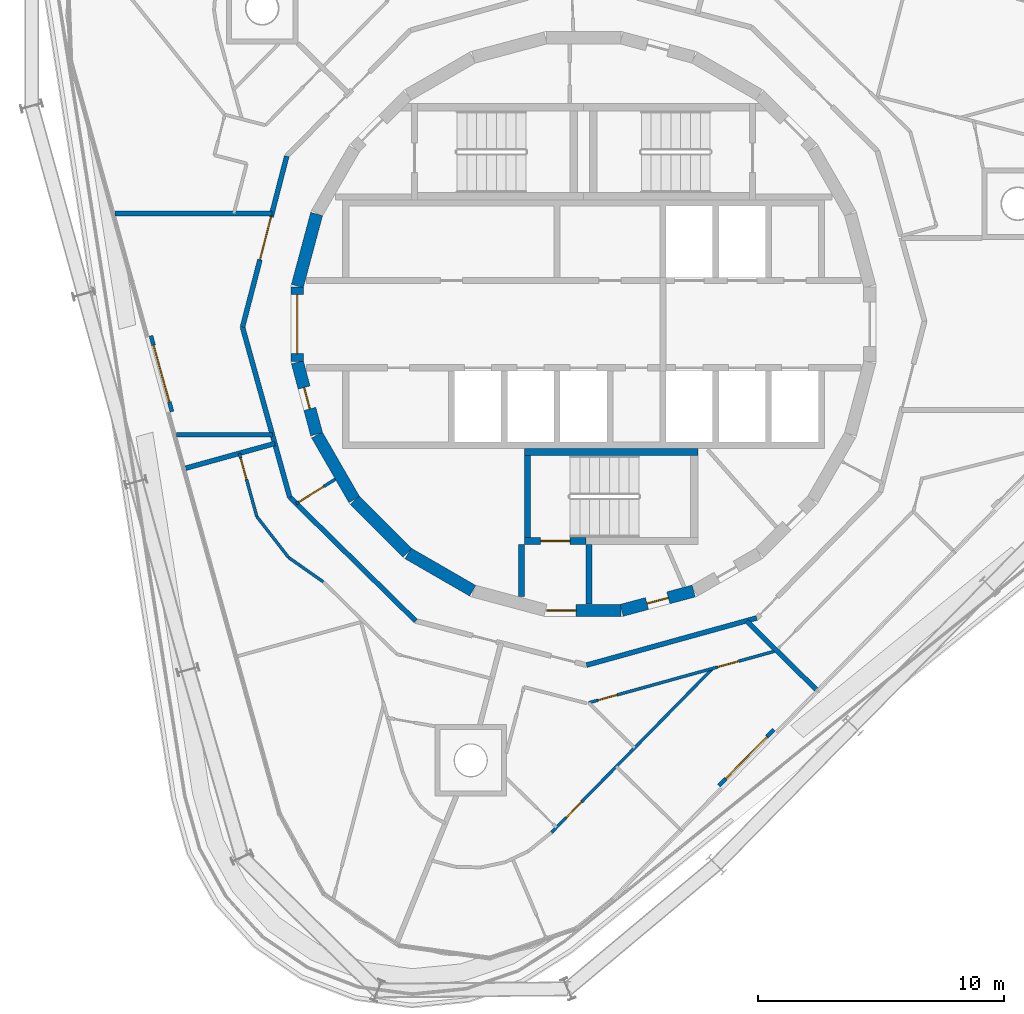
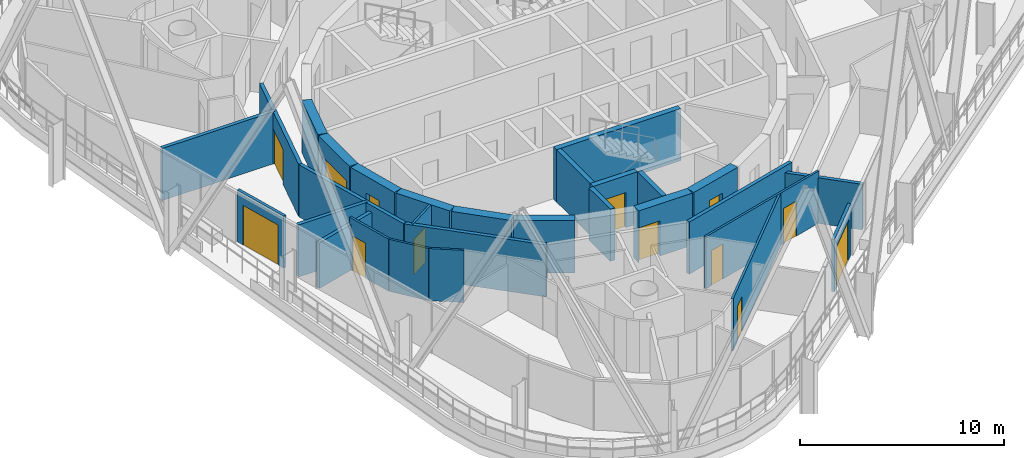
# One storey, part 10 of 18: 29 walls, 13 doors, 13 openings.
"""IFC4 building model written with IfcOpenShell, lengths in metres."""

from ifc_helpers import new_model, si_unit, direction, frame, frame_2d, origin, place, context, subcontext, project, spatial, rectangle, extrude, material, layer, layer_set, type_object, element, fill, save


model = new_model("IFC4")

# Units and contexts
model_context = context("Model", 3, precision=1e-05, world=origin(), true_north=direction((0.0, 1.0)))
body_context = subcontext(model_context, "Body", "Model", "MODEL_VIEW")
ifc_project = project(units=[si_unit("LENGTHUNIT", "METRE"), si_unit("AREAUNIT", "SQUARE_METRE"), si_unit("VOLUMEUNIT", "CUBIC_METRE"), si_unit("PLANEANGLEUNIT", "RADIAN"), si_unit("MASSUNIT", "GRAM", prefix="KILO")], contexts=[model_context])

# Site, building, storey
site_placement = place(None, origin())
site = spatial("IfcSite", under=ifc_project, at=site_placement, CompositionType="ELEMENT")
building_placement = place(site_placement, origin())
building = spatial("IfcBuilding", under=site, at=building_placement, Name="Spindle Arch Residences", CompositionType="ELEMENT")
storey_placement = place(building_placement, frame((0.0, 0.0, 298.199951171875)))
storey = spatial("IfcBuildingStorey", under=building, at=storey_placement, Name="L76", CompositionType="ELEMENT", Elevation=298.199951171875)

# Wall, opening, door
ifc_material_1 = material(Name="Concrete C50/60", Category="concrete")
ifc_layer_1 = layer(ifc_material_1, 0.5)
ifc_layer_set_1 = layer_set([ifc_layer_1], Name="Core outline wall 500")
wall_type_1 = type_object("IfcWallType", Name="Core outline wall 500", PredefinedType="SHEAR", material=ifc_layer_set_1)
wall_1_placement = place(storey_placement, frame((1.5498046875, -11.642822265625, 0.0), z_axis=(0.0, 0.0, 1.0), x_axis=(0.965948410781, 0.258734743916, 0.0)))
wall_1 = element("IfcWall", 1, at=wall_1_placement, inside=storey, type_object=wall_type_1, Name="Core outline wall 1", PredefinedType="SHEAR", context=body_context, shape_type="SweptSolid", body=[
    extrude(rectangle(XDim=3.03271484375, YDim=0.5, at=frame_2d((1.516357421875, 0.0))), origin(), (0.0, 0.0, 1.0), 3.1201171875),
])
opening_1_placement = place(wall_1_placement, frame((1.06640625, 0.0, 0.0)))
opening_1 = element("IfcOpeningElement", 2, at=opening_1_placement, cuts=wall_1, Name="Opening R8A0-WD08", PredefinedType="OPENING", context=body_context, shape_type="SweptSolid", body=[
    extrude(rectangle(XDim=0.89990234375, YDim=2.10009765625, at=frame_2d((0.449951171875, 1.050048828125))), frame((0.0, 0.260009765625, 0.0), z_axis=(0.0, -1.0, 0.0), x_axis=(1.0, 0.0, 0.0)), (0.0, 0.0, 1.0), 0.52001953125),
])
ifc_material_2 = material(Name="Steel, fire-resisting door", Category="steel")
door_type_1 = type_object("IfcDoorType", Name="Service room door 900x2100", OperationType="SINGLE_SWING_LEFT", PredefinedType="DOOR", material=ifc_material_2)
door_1_placement = place(opening_1_placement, origin())
door_1 = element("IfcDoor", 3, at=door_1_placement, inside=storey, type_object=door_type_1, Name="Service room door R8A0-WD08", OperationType="SINGLE_SWING_RIGHT", OverallHeight=2.10009765625, OverallWidth=0.89990234375, PredefinedType="DOOR", context=body_context, shape_type="SweptSolid", body=[
    extrude(rectangle(XDim=0.89990234375, YDim=2.10009765625, at=frame_2d((0.449951171875, 1.050048828125))), frame((0.0, 0.02490234375, 0.0), z_axis=(0.0, -1.0, 0.0), x_axis=(1.0, 0.0, 0.0)), (0.0, 0.0, 1.0), 0.050048828125),
])
fill(opening_1, door_1)

# Wall
wall_2_placement = place(storey_placement, frame((-10.858154296875, 4.479248046875, 0.0), z_axis=(0.0, 0.0, 1.0), x_axis=(-0.258734743916, -0.965948410781, 0.0)))
element("IfcWall", 4, at=wall_2_placement, inside=storey, type_object=wall_type_1, Name="Core outline wall 17", PredefinedType="SHEAR", context=body_context, shape_type="SweptSolid", body=[
    extrude(rectangle(XDim=3.03271484375, YDim=0.5, at=frame_2d((1.516357421875, 0.0))), origin(), (0.0, 0.0, 1.0), 3.1201171875),
])

# Wall, opening, door
wall_3_placement = place(storey_placement, frame((-11.647216796875, 1.516357421875, 0.0), z_axis=(0.0, 0.0, 1.0), x_axis=(0.0, -1.0, 0.0)))
wall_3 = element("IfcWall", 5, at=wall_3_placement, inside=storey, type_object=wall_type_1, Name="Core outline wall 18", PredefinedType="SHEAR", context=body_context, shape_type="SweptSolid", body=[
    extrude(rectangle(XDim=3.03271484375, YDim=0.5, at=frame_2d((1.516357421875, 0.0))), origin(), (0.0, 0.0, 1.0), 3.1201171875),
])
opening_2_placement = place(wall_3_placement, frame((0.31640625, 0.0, 0.0)))
opening_2 = element("IfcOpeningElement", 6, at=opening_2_placement, cuts=wall_3, Name="Opening R8A0-LE01", PredefinedType="OPENING", context=body_context, shape_type="SweptSolid", body=[
    extrude(rectangle(XDim=2.39990234375, YDim=2.10009765625, at=frame_2d((1.199951171875, 1.050048828125))), frame((0.0, 0.260009765625, 0.0), z_axis=(0.0, -1.0, 0.0), x_axis=(1.0, 0.0, 0.0)), (0.0, 0.0, 1.0), 0.52001953125),
])
ifc_material_3 = material(Name="Steel, fire-resisting door", Category="steel")
door_type_2 = type_object("IfcDoorType", Name="Lift lobby entrance door 2400x2100", OperationType="DOUBLE_DOOR_SINGLE_SWING", PredefinedType="DOOR", material=ifc_material_3)
door_2_placement = place(opening_2_placement, origin())
door_2 = element("IfcDoor", 7, at=door_2_placement, inside=storey, type_object=door_type_2, Name="Lift lobby entrance door R8A0-LE01", OperationType="DOUBLE_DOOR_SINGLE_SWING", OverallHeight=2.10009765625, OverallWidth=2.39990234375, PredefinedType="DOOR", context=body_context, shape_type="SweptSolid", body=[
    extrude(rectangle(XDim=2.39990234375, YDim=2.10009765625, at=frame_2d((1.199951171875, 1.050048828125))), frame((0.0, 0.02490234375, 0.0), z_axis=(0.0, -1.0, 0.0), x_axis=(1.0, 0.0, 0.0)), (0.0, 0.0, 1.0), 0.050048828125),
])
fill(opening_2, door_2)

wall_4_placement = place(storey_placement, frame((-11.642822265625, -1.5498046875, 0.0), z_axis=(0.0, 0.0, 1.0), x_axis=(0.258734743916, -0.965948410781, 0.0)))
wall_4 = element("IfcWall", 8, at=wall_4_placement, inside=storey, type_object=wall_type_1, Name="Core outline wall 19", PredefinedType="SHEAR", context=body_context, shape_type="SweptSolid", body=[
    extrude(rectangle(XDim=3.03271484375, YDim=0.5, at=frame_2d((1.516357421875, 0.0))), origin(), (0.0, 0.0, 1.0), 3.1201171875),
])
opening_3_placement = place(wall_4_placement, frame((1.06640625, 0.0, 0.0)))
opening_3 = element("IfcOpeningElement", 9, at=opening_3_placement, cuts=wall_4, Name="Opening R8A0-WD10", PredefinedType="OPENING", context=body_context, shape_type="SweptSolid", body=[
    extrude(rectangle(XDim=0.89990234375, YDim=2.10009765625, at=frame_2d((0.449951171875, 1.050048828125))), frame((0.0, 0.260009765625, 0.0), z_axis=(0.0, -1.0, 0.0), x_axis=(1.0, 0.0, 0.0)), (0.0, 0.0, 1.0), 0.52001953125),
])
door_3_placement = place(opening_3_placement, origin())
door_3 = element("IfcDoor", 10, at=door_3_placement, inside=storey, type_object=door_type_1, Name="Service room door R8A0-WD10", OperationType="SINGLE_SWING_RIGHT", OverallHeight=2.10009765625, OverallWidth=0.89990234375, PredefinedType="DOOR", context=body_context, shape_type="SweptSolid", body=[
    extrude(rectangle(XDim=0.89990234375, YDim=2.10009765625, at=frame_2d((0.449951171875, 1.050048828125))), frame((0.0, 0.02490234375, 0.0), z_axis=(0.0, -1.0, 0.0), x_axis=(1.0, 0.0, 0.0)), (0.0, 0.0, 1.0), 0.050048828125),
])
fill(opening_3, door_3)

# Walls
wall_5_placement = place(storey_placement, frame((-10.84521484375, -4.510498046875, 0.0), z_axis=(0.0, 0.0, 1.0), x_axis=(0.500087131594, -0.865975092491, 0.0)))
element("IfcWall", 11, at=wall_5_placement, inside=storey, type_object=wall_type_1, Name="Core outline wall 20", PredefinedType="SHEAR", context=body_context, shape_type="SweptSolid", body=[
    extrude(rectangle(XDim=3.03271484375, YDim=0.5, at=frame_2d((1.516357421875, 0.0))), origin(), (0.0, 0.0, 1.0), 3.1201171875),
])
wall_6_placement = place(storey_placement, frame((-9.30810546875, -7.163818359375, 0.0), z_axis=(0.0, 0.0, 1.0), x_axis=(0.707106781187, -0.707106781187, 0.0)))
element("IfcWall", 12, at=wall_6_placement, inside=storey, type_object=wall_type_1, Name="Core outline wall 21", PredefinedType="SHEAR", context=body_context, shape_type="SweptSolid", body=[
    extrude(rectangle(XDim=3.032470703125, YDim=0.5, at=frame_2d((1.51611328125, 0.0))), origin(), (0.0, 0.0, 1.0), 3.1201171875),
])
wall_7_placement = place(storey_placement, frame((-7.13671875, -9.32861328125, 0.0), z_axis=(0.0, 0.0, 1.0), x_axis=(0.865975092491, -0.500087131594, 0.0)))
element("IfcWall", 13, at=wall_7_placement, inside=storey, type_object=wall_type_1, Name="Core outline wall 22", PredefinedType="SHEAR", context=body_context, shape_type="SweptSolid", body=[
    extrude(rectangle(XDim=3.03271484375, YDim=0.5, at=frame_2d((1.516357421875, 0.0))), origin(), (0.0, 0.0, 1.0), 3.1201171875),
])

# Wall, opening, door
wall_8_placement = place(storey_placement, frame((-1.516357421875, -11.647216796875, 0.0), z_axis=(0.0, 0.0, 1.0), x_axis=(1.0, 0.0, 0.0)))
wall_8 = element("IfcWall", 14, at=wall_8_placement, inside=storey, type_object=wall_type_1, Name="Core outline wall 24", PredefinedType="SHEAR", context=body_context, shape_type="SweptSolid", body=[
    extrude(rectangle(XDim=3.03271484375, YDim=0.5, at=frame_2d((1.516357421875, 0.0))), origin(), (0.0, 0.0, 1.0), 3.1201171875),
])
opening_4_placement = place(wall_8_placement, frame((0.016357421875, 0.0, 0.0)))
opening_4 = element("IfcOpeningElement", 15, at=opening_4_placement, cuts=wall_8, Name="Opening R8A0-AD03", PredefinedType="OPENING", context=body_context, shape_type="SweptSolid", body=[
    extrude(rectangle(XDim=1.199951171875, YDim=2.10009765625, at=frame_2d((0.60009765625, 1.050048828125))), frame((0.0, 0.260009765625, 0.0), z_axis=(0.0, -1.0, 0.0), x_axis=(1.0, 0.0, 0.0)), (0.0, 0.0, 1.0), 0.52001953125),
])
ifc_material_4 = material(Name="Steel, fire-resisting door", Category="steel")
door_type_3 = type_object("IfcDoorType", Name="Stair airlock door 1200x2100", OperationType="SINGLE_SWING_LEFT", PredefinedType="DOOR", material=ifc_material_4)
door_4_placement = place(opening_4_placement, origin())
door_4 = element("IfcDoor", 16, at=door_4_placement, inside=storey, type_object=door_type_3, Name="Stair airlock door R8A0-AD03", OperationType="SINGLE_SWING_RIGHT", OverallHeight=2.10009765625, OverallWidth=1.199951171875, PredefinedType="DOOR", context=body_context, shape_type="SweptSolid", body=[
    extrude(rectangle(XDim=1.199951171875, YDim=2.10009765625, at=frame_2d((0.60009765625, 1.050048828125))), frame((0.0, 0.02490234375, 0.0), z_axis=(0.0, -1.0, 0.0), x_axis=(1.0, 0.0, 0.0)), (0.0, 0.0, 1.0), 0.050048828125),
])
fill(opening_4, door_4)

ifc_material_5 = material(Name="Plasterboard on steel studs", Category="steel")
ifc_layer_2 = layer(ifc_material_5, 0.1201171875)
ifc_layer_set_2 = layer_set([ifc_layer_2], Name="Corridor division wall 120")
wall_type_2 = type_object("IfcWallType", Name="Corridor division wall 120", PredefinedType="PARTITIONING", material=ifc_layer_set_2)
wall_9_placement = place(storey_placement, frame((-11.686767578125, -7.302734375, 0.0), z_axis=(0.0, 0.0, 1.0), x_axis=(0.848064094072, 0.529893661357, 0.0)))
wall_9 = element("IfcWall", 17, at=wall_9_placement, inside=storey, type_object=wall_type_2, Name="Corridor division wall R8A0-W003", PredefinedType="PARTITIONING", context=body_context, shape_type="SweptSolid", body=[
    extrude(rectangle(XDim=1.876220703125, YDim=0.1201171875, at=frame_2d((0.93798828125, 0.0))), origin(), (0.0, 0.0, 1.0), 3.1201171875),
])
opening_5_placement = place(wall_9_placement, frame((0.125, 0.0, 0.0)))
opening_5 = element("IfcOpeningElement", 18, at=opening_5_placement, cuts=wall_9, Name="Opening R8A0-CD03", PredefinedType="OPENING", context=body_context, shape_type="SweptSolid", body=[
    extrude(rectangle(XDim=1.199951171875, YDim=2.10009765625, at=frame_2d((0.60009765625, 1.050048828125))), frame((0.0, 0.070068359375, 0.0), z_axis=(0.0, -1.0, 0.0), x_axis=(1.0, 0.0, 0.0)), (0.0, 0.0, 1.0), 0.14013671875),
])
ifc_material_6 = material(Name="Steel, fire-resisting door", Category="steel")
door_type_4 = type_object("IfcDoorType", Name="Corridor division door 1200x2100", OperationType="NOTDEFINED", PredefinedType="DOOR", material=ifc_material_6)
door_5_placement = place(opening_5_placement, origin())
door_5 = element("IfcDoor", 19, at=door_5_placement, inside=storey, type_object=door_type_4, Name="Corridor division door R8A0-CD03", OperationType="DOUBLE_DOOR_SINGLE_SWING", OverallHeight=2.10009765625, OverallWidth=1.199951171875, PredefinedType="DOOR", context=body_context, shape_type="SweptSolid", body=[
    extrude(rectangle(XDim=1.199951171875, YDim=2.10009765625, at=frame_2d((0.60009765625, 1.050048828125))), frame((0.0, 0.02490234375, 0.0), z_axis=(0.0, -1.0, 0.0), x_axis=(1.0, 0.0, 0.0)), (0.0, 0.0, 1.0), 0.050048828125),
])
fill(opening_5, door_5)

# Walls
ifc_material_7 = material(Name="Calcium silicate block, plastered")
ifc_layer_3 = layer(ifc_material_7, 0.199951171875)
ifc_layer_set_3 = layer_set([ifc_layer_3], Name="Corridor wall 200")
wall_type_3 = type_object("IfcWallType", Name="Corridor wall 200", PredefinedType="STANDARD", material=ifc_layer_set_3)
wall_10_placement = place(storey_placement, frame((-11.953125, -7.041015625, 0.0), z_axis=(0.0, 0.0, 1.0), x_axis=(0.713250549143, -0.70090916255, 0.0)))
element("IfcWall", 20, at=wall_10_placement, inside=storey, type_object=wall_type_3, Name="Corridor wall R8A0-W013", PredefinedType="STANDARD", context=body_context, shape_type="SweptSolid", body=[
    extrude(rectangle(XDim=7.180908203125, YDim=0.199951171875, at=frame_2d((3.59033203125, 0.0))), origin(), (0.0, 0.0, 1.0), 3.1201171875),
])
wall_11_placement = place(storey_placement, frame((0.12109375, -13.872314453125, 0.0), z_axis=(0.0, 0.0, 1.0), x_axis=(0.963625960674, 0.267254575108, 0.0)))
element("IfcWall", 21, at=wall_11_placement, inside=storey, type_object=wall_type_3, Name="Corridor wall R8A0-W015", PredefinedType="STANDARD", context=body_context, shape_type="SweptSolid", body=[
    extrude(rectangle(XDim=7.18115234375, YDim=0.199951171875, at=frame_2d((3.590576171875, 0.0))), origin(), (0.0, 0.0, 1.0), 3.1201171875),
])

# Wall, opening, door
ifc_material_8 = material(Name="Plasterboard on steel studs", Category="steel")
ifc_layer_4 = layer(ifc_material_8, 0.1201171875)
ifc_layer_set_4 = layer_set([ifc_layer_4], Name="Flat partition 120")
wall_type_4 = type_object("IfcWallType", Name="Flat partition 120", PredefinedType="PARTITIONING", material=ifc_layer_set_4)
wall_12_placement = place(storey_placement, frame((-14.004638671875, -5.25634765625, 0.0), z_axis=(0.0, 0.0, 1.0), x_axis=(0.267200500487, -0.963640956238, 0.0)))
wall_12 = element("IfcWall", 22, at=wall_12_placement, inside=storey, type_object=wall_type_4, Name="Flat partition R8A0-W070", PredefinedType="PARTITIONING", context=body_context, shape_type="SweptSolid", body=[
    extrude(rectangle(XDim=2.669921875, YDim=0.1201171875, at=frame_2d((1.3349609375, 0.0))), origin(), (0.0, 0.0, 1.0), 3.1201171875),
])
opening_6_placement = place(wall_12_placement, frame((0.199951171875, 0.0, 0.0)))
opening_6 = element("IfcOpeningElement", 23, at=opening_6_placement, cuts=wall_12, Name="Opening R8A0-ID12", PredefinedType="OPENING", context=body_context, shape_type="SweptSolid", body=[
    extrude(rectangle(XDim=0.89990234375, YDim=2.10009765625, at=frame_2d((0.449951171875, 1.050048828125))), frame((0.0, 0.070068359375, 0.0), z_axis=(0.0, -1.0, 0.0), x_axis=(1.0, 0.0, 0.0)), (0.0, 0.0, 1.0), 0.14013671875),
])
ifc_material_9 = material(Name="Timber door set", Category="wood")
door_type_5 = type_object("IfcDoorType", Name="Room door 900x2100", OperationType="NOTDEFINED", PredefinedType="DOOR", material=ifc_material_9)
door_6_placement = place(opening_6_placement, origin())
door_6 = element("IfcDoor", 24, at=door_6_placement, inside=storey, type_object=door_type_5, Name="Room door R8A0-ID12", OperationType="SINGLE_SWING_RIGHT", OverallHeight=2.10009765625, OverallWidth=0.89990234375, PredefinedType="DOOR", context=body_context, shape_type="SweptSolid", body=[
    extrude(rectangle(XDim=0.89990234375, YDim=2.10009765625, at=frame_2d((0.449951171875, 1.050048828125))), frame((0.0, 0.02490234375, 0.0), z_axis=(0.0, -1.0, 0.0), x_axis=(1.0, 0.0, 0.0)), (0.0, 0.0, 1.0), 0.050048828125),
])
fill(opening_6, door_6)

# Walls
wall_13_placement = place(storey_placement, frame((-13.291259765625, -7.8291015625, 0.0), z_axis=(0.0, 0.0, 1.0), x_axis=(0.613017069232, -0.790069663277, 0.0)))
element("IfcWall", 25, at=wall_13_placement, inside=storey, type_object=wall_type_4, Name="Flat partition R8A0-W071", PredefinedType="PARTITIONING", context=body_context, shape_type="SweptSolid", body=[
    extrude(rectangle(XDim=2.105712890625, YDim=0.1201171875, at=frame_2d((1.052734375, 0.0))), origin(), (0.0, 0.0, 1.0), 3.1201171875),
])
wall_14_placement = place(storey_placement, frame((-12.00048828125, -9.49267578125, 0.0), z_axis=(0.0, 0.0, 1.0), x_axis=(0.818312362022, -0.57477376259, 0.0)))
element("IfcWall", 26, at=wall_14_placement, inside=storey, type_object=wall_type_4, Name="Flat partition R8A0-W072", PredefinedType="PARTITIONING", context=body_context, shape_type="SweptSolid", body=[
    extrude(rectangle(XDim=1.72314453125, YDim=0.1201171875, at=frame_2d((0.861572265625, 0.0))), origin(), (0.0, 0.0, 1.0), 3.1201171875),
])

# Wall, openings, doors
wall_15_placement = place(storey_placement, frame((0.209716796875, -15.404296875, 0.0), z_axis=(0.0, 0.0, 1.0), x_axis=(0.963630625717, 0.267237754032, 0.0)))
wall_15 = element("IfcWall", 27, at=wall_15_placement, inside=storey, type_object=wall_type_4, Name="Flat partition R8A0-W085", PredefinedType="PARTITIONING", context=body_context, shape_type="SweptSolid", body=[
    extrude(rectangle(XDim=7.906982421875, YDim=0.1201171875, at=frame_2d((3.95361328125, 0.0))), origin(), (0.0, 0.0, 1.0), 3.1201171875),
])
opening_7_placement = place(wall_15_placement, frame((0.39990234375, 0.0, 0.0)))
opening_7 = element("IfcOpeningElement", 28, at=opening_7_placement, cuts=wall_15, Name="Opening R8A0-BD05", PredefinedType="OPENING", context=body_context, shape_type="SweptSolid", body=[
    extrude(rectangle(XDim=0.800048828125, YDim=2.10009765625, at=frame_2d((0.39990234375, 1.050048828125))), frame((0.0, 0.070068359375, 0.0), z_axis=(0.0, -1.0, 0.0), x_axis=(1.0, 0.0, 0.0)), (0.0, 0.0, 1.0), 0.14013671875),
])
opening_8_placement = place(wall_15_placement, frame((5.436279296875, 0.0, 0.0)))
opening_8 = element("IfcOpeningElement", 29, at=opening_8_placement, cuts=wall_15, Name="Opening R8A0-ID17", PredefinedType="OPENING", context=body_context, shape_type="SweptSolid", body=[
    extrude(rectangle(XDim=0.89990234375, YDim=2.10009765625, at=frame_2d((0.449951171875, 1.050048828125))), frame((0.0, 0.070068359375, 0.0), z_axis=(0.0, -1.0, 0.0), x_axis=(1.0, 0.0, 0.0)), (0.0, 0.0, 1.0), 0.14013671875),
])
ifc_material_10 = material(Name="Timber door set", Category="wood")
door_type_6 = type_object("IfcDoorType", Name="Bathroom door 800x2100", OperationType="NOTDEFINED", PredefinedType="DOOR", material=ifc_material_10)
door_7_placement = place(opening_7_placement, origin())
door_7 = element("IfcDoor", 30, at=door_7_placement, inside=storey, type_object=door_type_6, Name="Bathroom door R8A0-BD05", OperationType="SINGLE_SWING_LEFT", OverallHeight=2.10009765625, OverallWidth=0.800048828125, PredefinedType="DOOR", context=body_context, shape_type="SweptSolid", body=[
    extrude(rectangle(XDim=0.800048828125, YDim=2.10009765625, at=frame_2d((0.39990234375, 1.050048828125))), frame((0.0, 0.02490234375, 0.0), z_axis=(0.0, -1.0, 0.0), x_axis=(1.0, 0.0, 0.0)), (0.0, 0.0, 1.0), 0.050048828125),
])
fill(opening_7, door_7)
door_8_placement = place(opening_8_placement, origin())
door_8 = element("IfcDoor", 31, at=door_8_placement, inside=storey, type_object=door_type_5, Name="Room door R8A0-ID17", OperationType="SINGLE_SWING_LEFT", OverallHeight=2.10009765625, OverallWidth=0.89990234375, PredefinedType="DOOR", context=body_context, shape_type="SweptSolid", body=[
    extrude(rectangle(XDim=0.89990234375, YDim=2.10009765625, at=frame_2d((0.449951171875, 1.050048828125))), frame((0.0, 0.02490234375, 0.0), z_axis=(0.0, -1.0, 0.0), x_axis=(1.0, 0.0, 0.0)), (0.0, 0.0, 1.0), 0.050048828125),
])
fill(opening_8, door_8)

# Wall, opening, door
wall_16_placement = place(storey_placement, frame((-1.303955078125, -20.679931640625, 0.0), z_axis=(0.0, 0.0, 1.0), x_axis=(0.700896976526, 0.713262524108, 0.0)))
wall_16 = element("IfcWall", 32, at=wall_16_placement, inside=storey, type_object=wall_type_4, Name="Flat partition R8A0-W093", PredefinedType="PARTITIONING", context=body_context, shape_type="SweptSolid", body=[
    extrude(rectangle(XDim=9.3583984375, YDim=0.1201171875, at=frame_2d((4.67919921875, 0.0))), origin(), (0.0, 0.0, 1.0), 3.1201171875),
])
opening_9_placement = place(wall_16_placement, frame((0.84912109375, 0.0, 0.0)))
opening_9 = element("IfcOpeningElement", 33, at=opening_9_placement, cuts=wall_16, Name="Opening R8A0-ID19", PredefinedType="OPENING", context=body_context, shape_type="SweptSolid", body=[
    extrude(rectangle(XDim=0.89990234375, YDim=2.10009765625, at=frame_2d((0.449951171875, 1.050048828125))), frame((0.0, 0.070068359375, 0.0), z_axis=(0.0, -1.0, 0.0), x_axis=(1.0, 0.0, 0.0)), (0.0, 0.0, 1.0), 0.14013671875),
])
door_9_placement = place(opening_9_placement, origin())
door_9 = element("IfcDoor", 34, at=door_9_placement, inside=storey, type_object=door_type_5, Name="Room door R8A0-ID19", OperationType="SINGLE_SWING_LEFT", OverallHeight=2.10009765625, OverallWidth=0.89990234375, PredefinedType="DOOR", context=body_context, shape_type="SweptSolid", body=[
    extrude(rectangle(XDim=0.89990234375, YDim=2.10009765625, at=frame_2d((0.449951171875, 1.050048828125))), frame((0.0, 0.02490234375, 0.0), z_axis=(0.0, -1.0, 0.0), x_axis=(1.0, 0.0, 0.0)), (0.0, 0.0, 1.0), 0.050048828125),
])
fill(opening_9, door_9)

# Walls
ifc_material_11 = material(Name="Calcium silicate block, plastered")
ifc_layer_5 = layer(ifc_material_11, 0.199951171875)
ifc_layer_set_5 = layer_set([ifc_layer_5], Name="Flat party wall 200 under beam 2730")
wall_type_5 = type_object("IfcWallType", Name="Flat party wall 200 under beam 2730", PredefinedType="STANDARD", material=ifc_layer_set_5)
wall_17_placement = place(storey_placement, frame((-16.18701171875, -5.861572265625, 0.0), z_axis=(0.0, 0.0, 1.0), x_axis=(0.963631166683, 0.267235803358, 0.0)))
element("IfcWall", 35, at=wall_17_placement, inside=storey, type_object=wall_type_5, Name="Flat party wall R8A0-W028", PredefinedType="STANDARD", context=body_context, shape_type="SweptSolid", body=[
    extrude(rectangle(XDim=3.764892578125, YDim=0.199951171875, at=frame_2d((1.88232421875, 0.0))), origin(), (0.0, 0.0, 1.0), 2.72998046875),
])
wall_18_placement = place(storey_placement, frame((9.4619140625, -14.860595703125, 0.0), z_axis=(0.0, 0.0, 1.0), x_axis=(-0.713276937124, 0.700882308927, 0.0)))
element("IfcWall", 36, at=wall_18_placement, inside=storey, type_object=wall_type_5, Name="Flat party wall R8A0-W031", PredefinedType="STANDARD", context=body_context, shape_type="SweptSolid", body=[
    extrude(rectangle(XDim=3.959228515625, YDim=0.199951171875, at=frame_2d((1.9794921875, 0.0))), origin(), (0.0, 0.0, 1.0), 2.72998046875),
])

# Wall, opening, door
ifc_material_12 = material(Name="Non-combustible mineral wool insulated aluminium faced external wall (K0)", Category="aluminium")
ifc_layer_6 = layer(ifc_material_12, 0.159912109375)
ifc_layer_set_6 = layer_set([ifc_layer_6], Name="Insulated external wall panel 160")
wall_type_6 = type_object("IfcWallType", Name="Insulated external wall panel 160", PredefinedType="STANDARD", material=ifc_layer_set_6)
wall_19_placement = place(storey_placement, frame((-17.59765625, -0.47509765625, 0.0), z_axis=(0.0, 0.0, 1.0), x_axis=(0.267266077957, -0.963622770369, 0.0)))
wall_19 = element("IfcWall", 37, at=wall_19_placement, inside=storey, type_object=wall_type_6, Name="External wall L76 bay 13", PredefinedType="STANDARD", context=body_context, shape_type="SweptSolid", body=[
    extrude(rectangle(XDim=3.199951171875, YDim=0.159912109375, at=frame_2d((1.60009765625, 0.0))), origin(), (0.0, 0.0, 1.0), 3.1201171875),
])
opening_10_placement = place(wall_19_placement, frame((0.39990234375, 0.0, 0.0)))
opening_10 = element("IfcOpeningElement", 38, at=opening_10_placement, cuts=wall_19, Name="Opening BD13", PredefinedType="OPENING", context=body_context, shape_type="SweptSolid", body=[
    extrude(rectangle(XDim=2.39990234375, YDim=2.39990234375, at=frame_2d((1.199951171875, 1.199951171875))), frame((0.0, 0.08984375, 0.0), z_axis=(0.0, -1.0, 0.0), x_axis=(1.0, 0.0, 0.0)), (0.0, 0.0, 1.0), 0.179931640625),
])
ifc_material_13 = material(Name="Bronze aluminium frame, tinted double glazing", Category="aluminium")
door_type_7 = type_object("IfcDoorType", Name="Sliding glazed balcony door 2400x2400", OperationType="DOUBLE_DOOR_SLIDING", PredefinedType="DOOR", material=ifc_material_13)
door_10_placement = place(opening_10_placement, origin())
door_10 = element("IfcDoor", 39, at=door_10_placement, inside=storey, type_object=door_type_7, Name="Balcony door BD13", OperationType="DOUBLE_DOOR_SLIDING", OverallHeight=2.39990234375, OverallWidth=2.39990234375, PredefinedType="DOOR", context=body_context, shape_type="SweptSolid", body=[
    extrude(rectangle(XDim=2.39990234375, YDim=2.39990234375, at=frame_2d((1.199951171875, 1.199951171875))), frame((0.0, 0.02490234375, 0.0), z_axis=(0.0, -1.0, 0.0), x_axis=(1.0, 0.0, 0.0)), (0.0, 0.0, 1.0), 0.050048828125),
])
fill(opening_10, door_10)

wall_20_placement = place(storey_placement, frame((5.50244140625, -18.775634765625, 0.0), z_axis=(0.0, 0.0, 1.0), x_axis=(0.700900076932, 0.713259477439, 0.0)))
wall_20 = element("IfcWall", 40, at=wall_20_placement, inside=storey, type_object=wall_type_6, Name="External wall L76 bay 19", PredefinedType="STANDARD", context=body_context, shape_type="SweptSolid", body=[
    extrude(rectangle(XDim=3.199951171875, YDim=0.159912109375, at=frame_2d((1.60009765625, 0.0))), origin(), (0.0, 0.0, 1.0), 3.1201171875),
])
opening_11_placement = place(wall_20_placement, frame((0.39990234375, 0.0, 0.0)))
opening_11 = element("IfcOpeningElement", 41, at=opening_11_placement, cuts=wall_20, Name="Opening BD19", PredefinedType="OPENING", context=body_context, shape_type="SweptSolid", body=[
    extrude(rectangle(XDim=2.39990234375, YDim=2.39990234375, at=frame_2d((1.199951171875, 1.199951171875))), frame((0.0, 0.08984375, 0.0), z_axis=(0.0, -1.0, 0.0), x_axis=(1.0, 0.0, 0.0)), (0.0, 0.0, 1.0), 0.179931640625),
])
door_11_placement = place(opening_11_placement, origin())
door_11 = element("IfcDoor", 42, at=door_11_placement, inside=storey, type_object=door_type_7, Name="Balcony door BD19", OperationType="DOUBLE_DOOR_SLIDING", OverallHeight=2.39990234375, OverallWidth=2.39990234375, PredefinedType="DOOR", context=body_context, shape_type="SweptSolid", body=[
    extrude(rectangle(XDim=2.39990234375, YDim=2.39990234375, at=frame_2d((1.199951171875, 1.199951171875))), frame((0.0, 0.02490234375, 0.0), z_axis=(0.0, -1.0, 0.0), x_axis=(1.0, 0.0, 0.0)), (0.0, 0.0, 1.0), 0.050048828125),
])
fill(opening_11, door_11)

ifc_material_14 = material(Name="Calcium silicate block, plastered")
ifc_layer_7 = layer(ifc_material_14, 0.199951171875)
ifc_layer_set_7 = layer_set([ifc_layer_7], Name="Lift lobby bay wall 200")
wall_type_7 = type_object("IfcWallType", Name="Lift lobby bay wall 200", PredefinedType="STANDARD", material=ifc_layer_set_7)
wall_21_placement = place(storey_placement, frame((-12.07421875, 6.831298828125, 0.0), z_axis=(0.0, 0.0, 1.0), x_axis=(-0.250391063186, -0.968144780225, 0.0)))
wall_21 = element("IfcWall", 43, at=wall_21_placement, inside=storey, type_object=wall_type_7, Name="Lift lobby bay wall R8A0-W010", PredefinedType="STANDARD", context=body_context, shape_type="SweptSolid", body=[
    extrude(rectangle(XDim=7.18115234375, YDim=0.199951171875, at=frame_2d((3.590576171875, 0.0))), origin(), (0.0, 0.0, 1.0), 3.1201171875),
])
opening_12_placement = place(wall_21_placement, frame((2.5478515625, 0.0, 0.0)))
opening_12 = element("IfcOpeningElement", 44, at=opening_12_placement, cuts=wall_21, Name="Opening R8A0-LB01", PredefinedType="OPENING", context=body_context, shape_type="SweptSolid", body=[
    extrude(rectangle(XDim=1.800048828125, YDim=2.10009765625, at=frame_2d((0.89990234375, 1.050048828125))), frame((0.0, 0.10986328125, 0.0), z_axis=(0.0, -1.0, 0.0), x_axis=(1.0, 0.0, 0.0)), (0.0, 0.0, 1.0), 0.219970703125),
])
ifc_material_15 = material(Name="Steel, fire-resisting door", Category="steel")
door_type_8 = type_object("IfcDoorType", Name="Lift lobby bay door 1800x2100", OperationType="NOTDEFINED", PredefinedType="DOOR", material=ifc_material_15)
door_12_placement = place(opening_12_placement, origin())
door_12 = element("IfcDoor", 45, at=door_12_placement, inside=storey, type_object=door_type_8, Name="Lift lobby bay door R8A0-LB01", OperationType="DOUBLE_DOOR_SINGLE_SWING", OverallHeight=2.10009765625, OverallWidth=1.800048828125, PredefinedType="DOOR", context=body_context, shape_type="SweptSolid", body=[
    extrude(rectangle(XDim=1.800048828125, YDim=2.10009765625, at=frame_2d((0.89990234375, 1.050048828125))), frame((0.0, 0.02490234375, 0.0), z_axis=(0.0, -1.0, 0.0), x_axis=(1.0, 0.0, 0.0)), (0.0, 0.0, 1.0), 0.050048828125),
])
fill(opening_12, door_12)

# Walls
wall_22_placement = place(storey_placement, frame((-13.872314453125, -0.12109375, 0.0), z_axis=(0.0, 0.0, 1.0), x_axis=(0.267254575108, -0.963625960674, 0.0)))
element("IfcWall", 46, at=wall_22_placement, inside=storey, type_object=wall_type_7, Name="Lift lobby bay wall R8A0-W011", PredefinedType="STANDARD", context=body_context, shape_type="SweptSolid", body=[
    extrude(rectangle(XDim=7.18115234375, YDim=0.199951171875, at=frame_2d((3.590576171875, 0.0))), origin(), (0.0, 0.0, 1.0), 3.1201171875),
])
wall_23_placement = place(storey_placement, frame((-12.677001953125, 4.5, 0.0), z_axis=(0.0, 0.0, 1.0), x_axis=(-1.0, 0.0, 0.0)))
element("IfcWall", 47, at=wall_23_placement, inside=storey, type_object=wall_type_7, Name="Lift lobby bay wall R8A0-W017", PredefinedType="STANDARD", context=body_context, shape_type="SweptSolid", body=[
    extrude(rectangle(XDim=6.38330078125, YDim=0.199951171875, at=frame_2d((3.191650390625, 0.0))), origin(), (0.0, 0.0, 1.0), 3.1201171875),
])
wall_24_placement = place(storey_placement, frame((-16.564453125, -4.5, 0.0), z_axis=(0.0, 0.0, 1.0), x_axis=(1.0, 0.0, 0.0)))
element("IfcWall", 48, at=wall_24_placement, inside=storey, type_object=wall_type_7, Name="Lift lobby bay wall R8A0-W018", PredefinedType="STANDARD", context=body_context, shape_type="SweptSolid", body=[
    extrude(rectangle(XDim=3.90673828125, YDim=0.199951171875, at=frame_2d((1.953369140625, 0.0))), origin(), (0.0, 0.0, 1.0), 3.1201171875),
])
ifc_material_16 = material(Name="Concrete C40/50", Category="concrete")
ifc_layer_8 = layer(ifc_material_16, 0.25)
ifc_layer_set_8 = layer_set([ifc_layer_8], Name="Stair airlock wall 250")
wall_type_8 = type_object("IfcWallType", Name="Stair airlock wall 250", PredefinedType="SHEAR", material=ifc_layer_set_8)
wall_25_placement = place(storey_placement, frame((-2.52490234375, -8.969970703125, 0.0), z_axis=(0.0, 0.0, 1.0), x_axis=(0.0, -1.0, 0.0)))
element("IfcWall", 49, at=wall_25_placement, inside=storey, type_object=wall_type_8, Name="Stair ST-3 airlock wall W", PredefinedType="SHEAR", context=body_context, shape_type="SweptSolid", body=[
    extrude(rectangle(XDim=2.110107421875, YDim=0.25, at=frame_2d((1.05517578125, 0.0))), origin(), (0.0, 0.0, 1.0), 3.1201171875),
])
wall_26_placement = place(storey_placement, frame((0.22509765625, -8.969970703125, 0.0), z_axis=(0.0, 0.0, 1.0), x_axis=(0.0, -1.0, 0.0)))
element("IfcWall", 50, at=wall_26_placement, inside=storey, type_object=wall_type_8, Name="Stair ST-3 airlock wall E", PredefinedType="SHEAR", context=body_context, shape_type="SweptSolid", body=[
    extrude(rectangle(XDim=2.409912109375, YDim=0.25, at=frame_2d((1.205078125, 0.0))), origin(), (0.0, 0.0, 1.0), 3.1201171875),
])
ifc_material_17 = material(Name="Concrete C50/60", Category="concrete")
ifc_layer_9 = layer(ifc_material_17, 0.25)
ifc_layer_set_9 = layer_set([ifc_layer_9], Name="Stair enclosure wall 250")
wall_type_9 = type_object("IfcWallType", Name="Stair enclosure wall 250", PredefinedType="SHEAR", material=ifc_layer_set_9)
wall_27_placement = place(storey_placement, frame((-2.27490234375, -8.669921875, 0.0), z_axis=(0.0, 0.0, 1.0), x_axis=(0.0, 1.0, 0.0)))
element("IfcWall", 51, at=wall_27_placement, inside=storey, type_object=wall_type_9, Name="Stair ST-3 enclosure wall W", PredefinedType="SHEAR", context=body_context, shape_type="SweptSolid", body=[
    extrude(rectangle(XDim=3.31982421875, YDim=0.25, at=frame_2d((1.659912109375, 0.0))), origin(), (0.0, 0.0, 1.0), 3.1201171875),
])
ifc_material_18 = material(Name="Concrete C50/60", Category="concrete")
ifc_layer_10 = layer(ifc_material_18, 0.300048828125)
ifc_layer_set_10 = layer_set([ifc_layer_10], Name="Stair enclosure wall 300")
wall_type_10 = type_object("IfcWallType", Name="Stair enclosure wall 300", PredefinedType="SHEAR", material=ifc_layer_set_10)
wall_28_placement = place(storey_placement, frame((-2.39990234375, -5.199951171875, 0.0), z_axis=(0.0, 0.0, 1.0), x_axis=(1.0, 0.0, 0.0)))
element("IfcWall", 52, at=wall_28_placement, inside=storey, type_object=wall_type_10, Name="Stair ST-3 enclosure wall N", PredefinedType="SHEAR", context=body_context, shape_type="SweptSolid", body=[
    extrude(rectangle(XDim=7.0498046875, YDim=0.300048828125, at=frame_2d((3.52490234375, 0.0))), origin(), (0.0, 0.0, 1.0), 3.1201171875),
])

# Wall, opening, door
wall_29_placement = place(storey_placement, frame((-2.39990234375, -8.820068359375, 0.0), z_axis=(0.0, 0.0, 1.0), x_axis=(1.0, 0.0, 0.0)))
wall_29 = element("IfcWall", 53, at=wall_29_placement, inside=storey, type_object=wall_type_10, Name="Stair ST-3 door wall", PredefinedType="SHEAR", context=body_context, shape_type="SweptSolid", body=[
    extrude(rectangle(XDim=2.5, YDim=0.300048828125, at=frame_2d((1.25, 0.0))), origin(), (0.0, 0.0, 1.0), 3.1201171875),
])
opening_13_placement = place(wall_29_placement, frame((0.64990234375, 0.0, 0.0)))
opening_13 = element("IfcOpeningElement", 54, at=opening_13_placement, cuts=wall_29, Name="Opening R8A0-SD03", PredefinedType="OPENING", context=body_context, shape_type="SweptSolid", body=[
    extrude(rectangle(XDim=1.199951171875, YDim=2.10009765625, at=frame_2d((0.60009765625, 1.050048828125))), frame((0.0, 0.16015625, 0.0), z_axis=(0.0, -1.0, 0.0), x_axis=(1.0, 0.0, 0.0)), (0.0, 0.0, 1.0), 0.320068359375),
])
ifc_material_19 = material(Name="Steel, fire-resisting door", Category="steel")
door_type_9 = type_object("IfcDoorType", Name="Stair door 1200x2100", OperationType="SINGLE_SWING_RIGHT", PredefinedType="DOOR", material=ifc_material_19)
door_13_placement = place(opening_13_placement, origin())
door_13 = element("IfcDoor", 55, at=door_13_placement, inside=storey, type_object=door_type_9, Name="Stair door R8A0-SD03", OperationType="SINGLE_SWING_LEFT", OverallHeight=2.10009765625, OverallWidth=1.199951171875, PredefinedType="DOOR", context=body_context, shape_type="SweptSolid", body=[
    extrude(rectangle(XDim=1.199951171875, YDim=2.10009765625, at=frame_2d((0.60009765625, 1.050048828125))), frame((0.0, 0.02490234375, 0.0), z_axis=(0.0, -1.0, 0.0), x_axis=(1.0, 0.0, 0.0)), (0.0, 0.0, 1.0), 0.050048828125),
])
fill(opening_13, door_13)

save(model, "model.ifc")
